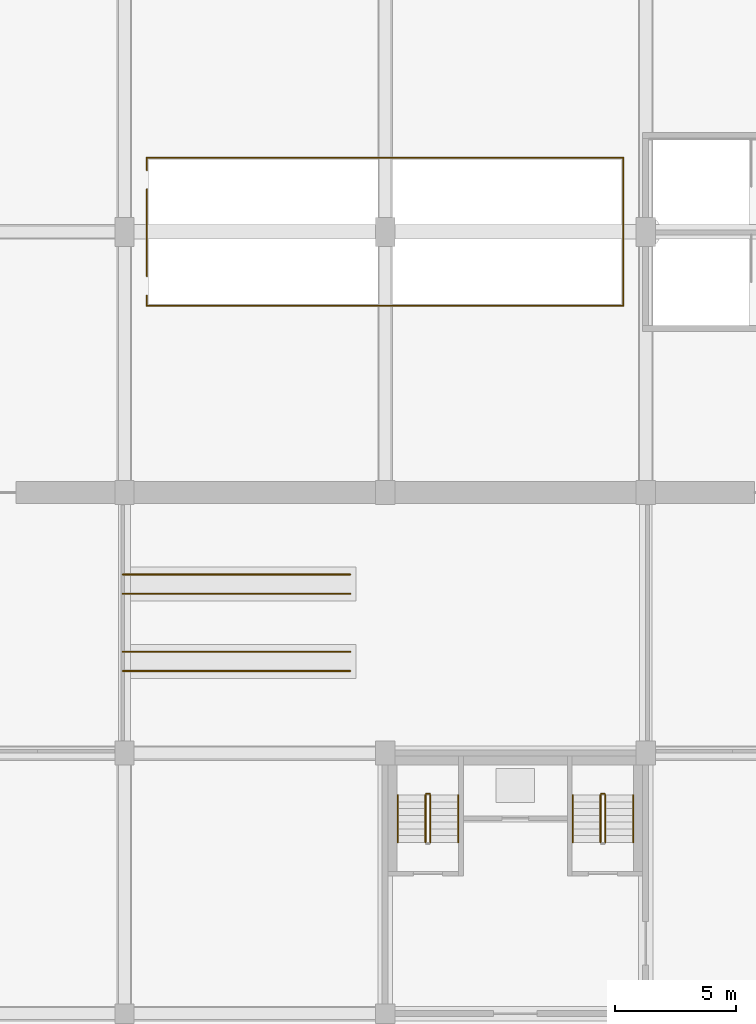
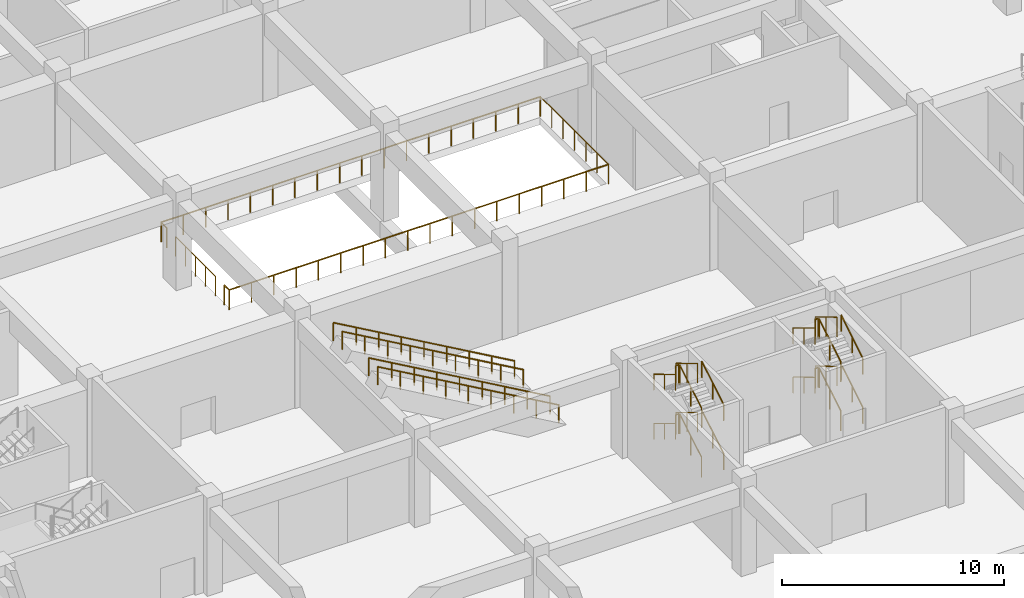
# One storey, part 85 of 101: 30 railings.
"""IFC4 building model written with IfcOpenShell, lengths in metres."""

from ifc_helpers import new_model, si_unit, direction, frame, origin, origin_2d, place, context, subcontext, project, spatial, circle, extrude, material, type_object, element, save


model = new_model("IFC4")

# Units and contexts
model_context = context("Model", 3, precision=1e-05, world=origin(), true_north=direction((0.0, 1.0)))
body_context = subcontext(model_context, "Body", "Model", "MODEL_VIEW")
ifc_project = project(units=[si_unit("LENGTHUNIT", "METRE"), si_unit("AREAUNIT", "SQUARE_METRE"), si_unit("VOLUMEUNIT", "CUBIC_METRE"), si_unit("PLANEANGLEUNIT", "RADIAN"), si_unit("MASSUNIT", "GRAM", prefix="KILO")], contexts=[model_context])

# Site, building, storey
site_placement = place(None, origin())
site = spatial("IfcSite", under=ifc_project, at=site_placement, CompositionType="ELEMENT")
building_placement = place(site_placement, origin())
building = spatial("IfcBuilding", under=site, at=building_placement, Name="Magnolia Steps Interchange", CompositionType="ELEMENT")
storey_placement = place(building_placement, frame((0.0, 0.0, -5.39990234375)))
storey = spatial("IfcBuildingStorey", under=building, at=storey_placement, Name="B1", CompositionType="ELEMENT", Elevation=-5.39990234375)

# Railings
ifc_material_1 = material(Name="Toughened glass", Category="glass")
railing_type_1 = type_object("IfcRailingType", Name="Escalator balustrade", PredefinedType="BALUSTRADE", material=ifc_material_1)
for number, where, name in (
    (1, (74.72998046875, 45.800048828125, 5.39990234375), "Escalator balustrade EV1 1L"),
    (2, (74.72998046875, 46.60009765625, 5.39990234375), "Escalator balustrade EV1 1R"),
    (3, (74.72998046875, 49.0, 5.39990234375), "Escalator balustrade EV1 2L"),
    (4, (74.72998046875, 49.800048828125, 5.39990234375), "Escalator balustrade EV1 2R"),
):
    element("IfcRailing", number, at=place(storey_placement, frame(where)), inside=storey, type_object=railing_type_1, Name=name, PredefinedType="BALUSTRADE", context=body_context, shape_type="SweptSolid", body=[
        extrude(circle(Radius=0.02392578125, at=origin_2d()), frame((0.0, 0.0, 0.97607421875), z_axis=(0.86763658894, 0.0, -0.497198903391), x_axis=(0.0, 1.0, 0.0)), (0.0, 0.0, 1.0), 10.860595703125),
        extrude(circle(Radius=0.02099609375, at=origin_2d()), origin(), (0.0, 0.0, 1.0), 0.951904296875),
        extrude(circle(Radius=0.02099609375, at=origin_2d()), frame((1.177978515625, 0.0, -0.675048828125)), (0.0, 0.0, 1.0), 0.951904296875),
        extrude(circle(Radius=0.02099609375, at=origin_2d()), frame((2.355712890625, 0.0, -1.35009765625)), (0.0, 0.0, 1.0), 0.951904296875),
        extrude(circle(Radius=0.02099609375, at=origin_2d()), frame((3.53369140625, 0.0, -2.02490234375)), (0.0, 0.0, 1.0), 0.951904296875),
        extrude(circle(Radius=0.02099609375, at=origin_2d()), frame((4.71142578125, 0.0, -2.699951171875)), (0.0, 0.0, 1.0), 0.951904296875),
        extrude(circle(Radius=0.02099609375, at=origin_2d()), frame((5.889404296875, 0.0, -3.375)), (0.0, 0.0, 1.0), 0.951904296875),
        extrude(circle(Radius=0.02099609375, at=origin_2d()), frame((7.0673828125, 0.0, -4.0498046875)), (0.0, 0.0, 1.0), 0.951904296875),
        extrude(circle(Radius=0.02099609375, at=origin_2d()), frame((8.2451171875, 0.0, -4.724853515625)), (0.0, 0.0, 1.0), 0.951904296875),
        extrude(circle(Radius=0.02099609375, at=origin_2d()), frame((9.423095703125, 0.0, -5.39990234375)), (0.0, 0.0, 1.0), 0.951904296875),
    ])
ifc_material_2 = material(Name="Stainless steel grade 304", Category="steel")
railing_type_2 = type_object("IfcRailingType", Name="Stair guard 1100", PredefinedType="GUARDRAIL", material=ifc_material_2)
railing_1_placement = place(storey_placement, frame((87.47412109375, 38.699951171875, 0.168701171875)))
element("IfcRailing", 5, at=railing_1_placement, inside=storey, type_object=railing_type_2, Name="B1 ST19 stair guard 1", PredefinedType="GUARDRAIL", context=body_context, shape_type="SweptSolid", body=[
    extrude(circle(Radius=0.02392578125, at=origin_2d()), frame((0.0, 0.0, 1.076171875), z_axis=(0.0, 0.856493463811, 0.516157869696), x_axis=(-1.0, 0.0, 0.0)), (0.0, 0.0, 1.0), 2.288330078125),
    extrude(circle(Radius=0.02099609375, at=origin_2d()), origin(), (0.0, 0.0, 1.0), 1.052001953125),
    extrude(circle(Radius=0.02099609375, at=origin_2d()), frame((0.0, 0.97998046875, 0.590576171875)), (0.0, 0.0, 1.0), 1.052001953125),
    extrude(circle(Radius=0.02099609375, at=origin_2d()), frame((0.0, 1.9599609375, 1.18115234375)), (0.0, 0.0, 1.0), 1.052001953125),
])
railing_2_placement = place(storey_placement, frame((87.449951171875, 40.7099609375, 1.349853515625)))
element("IfcRailing", 6, at=railing_2_placement, inside=storey, type_object=railing_type_2, Name="B1 ST19 stair guard 2", PredefinedType="GUARDRAIL", context=body_context, shape_type="SweptSolid", body=[
    extrude(circle(Radius=0.02392578125, at=origin_2d()), frame((0.0, 0.0, 1.076171875), z_axis=(-1.0, 0.0, 0.0), x_axis=(0.0, -1.0, 0.0)), (0.0, 0.0, 1.0), 0.14990234375),
    extrude(circle(Radius=0.02099609375, at=origin_2d()), origin(), (0.0, 0.0, 1.0), 1.052001953125),
    extrude(circle(Radius=0.02099609375, at=origin_2d()), frame((-0.14990234375, 0.0, 0.0)), (0.0, 0.0, 1.0), 1.052001953125),
])
railing_3_placement = place(storey_placement, frame((87.27587890625, 40.659912109375, 1.5185546875)))
element("IfcRailing", 7, at=railing_3_placement, inside=storey, type_object=railing_type_2, Name="B1 ST19 stair guard 3", PredefinedType="GUARDRAIL", context=body_context, shape_type="SweptSolid", body=[
    extrude(circle(Radius=0.02392578125, at=origin_2d()), frame((0.0, 0.0, 1.076171875), z_axis=(0.0, -0.856446297458, 0.516236127728), x_axis=(1.0, 0.0, 0.0)), (0.0, 0.0, 1.0), 2.28857421875),
    extrude(circle(Radius=0.02099609375, at=origin_2d()), origin(), (0.0, 0.0, 1.0), 1.052001953125),
    extrude(circle(Radius=0.02099609375, at=origin_2d()), frame((0.0, -0.97998046875, 0.5908203125)), (0.0, 0.0, 1.0), 1.052001953125),
    extrude(circle(Radius=0.02099609375, at=origin_2d()), frame((0.0, -1.9599609375, 1.181396484375)), (0.0, 0.0, 1.0), 1.052001953125),
])
railing_4_placement = place(storey_placement, frame((87.47412109375, 38.699951171875, 2.86865234375)))
element("IfcRailing", 8, at=railing_4_placement, inside=storey, type_object=railing_type_2, Name="B1 ST19 stair guard 5", PredefinedType="GUARDRAIL", context=body_context, shape_type="SweptSolid", body=[
    extrude(circle(Radius=0.02392578125, at=origin_2d()), frame((0.0, 0.0, 1.076171875), z_axis=(0.0, 0.856493463811, 0.516157869696), x_axis=(-1.0, 0.0, 0.0)), (0.0, 0.0, 1.0), 2.288330078125),
    extrude(circle(Radius=0.02099609375, at=origin_2d()), origin(), (0.0, 0.0, 1.0), 1.052001953125),
    extrude(circle(Radius=0.02099609375, at=origin_2d()), frame((0.0, 0.97998046875, 0.590576171875)), (0.0, 0.0, 1.0), 1.052001953125),
    extrude(circle(Radius=0.02099609375, at=origin_2d()), frame((0.0, 1.9599609375, 1.18115234375)), (0.0, 0.0, 1.0), 1.052001953125),
])
railing_5_placement = place(storey_placement, frame((87.449951171875, 40.7099609375, 4.0498046875)))
element("IfcRailing", 9, at=railing_5_placement, inside=storey, type_object=railing_type_2, Name="B1 ST19 stair guard 6", PredefinedType="GUARDRAIL", context=body_context, shape_type="SweptSolid", body=[
    extrude(circle(Radius=0.02392578125, at=origin_2d()), frame((0.0, 0.0, 1.076171875), z_axis=(-1.0, 0.0, 0.0), x_axis=(0.0, -1.0, 0.0)), (0.0, 0.0, 1.0), 0.14990234375),
    extrude(circle(Radius=0.02099609375, at=origin_2d()), origin(), (0.0, 0.0, 1.0), 1.052001953125),
    extrude(circle(Radius=0.02099609375, at=origin_2d()), frame((-0.14990234375, 0.0, 0.0)), (0.0, 0.0, 1.0), 1.052001953125),
])
railing_6_placement = place(storey_placement, frame((87.27587890625, 40.659912109375, 4.21875)))
element("IfcRailing", 10, at=railing_6_placement, inside=storey, type_object=railing_type_2, Name="B1 ST19 stair guard 7", PredefinedType="GUARDRAIL", context=body_context, shape_type="SweptSolid", body=[
    extrude(circle(Radius=0.02392578125, at=origin_2d()), frame((0.0, 0.0, 1.076171875), z_axis=(0.0, -0.856493463811, 0.516157869696), x_axis=(1.0, 0.0, 0.0)), (0.0, 0.0, 1.0), 2.288330078125),
    extrude(circle(Radius=0.02099609375, at=origin_2d()), origin(), (0.0, 0.0, 1.0), 1.052001953125),
    extrude(circle(Radius=0.02099609375, at=origin_2d()), frame((0.0, -0.97998046875, 0.590576171875)), (0.0, 0.0, 1.0), 1.052001953125),
    extrude(circle(Radius=0.02099609375, at=origin_2d()), frame((0.0, -1.9599609375, 1.18115234375)), (0.0, 0.0, 1.0), 1.052001953125),
])
railing_7_placement = place(storey_placement, frame((94.72412109375, 38.699951171875, 0.168701171875)))
element("IfcRailing", 11, at=railing_7_placement, inside=storey, type_object=railing_type_2, Name="B1 ST20 stair guard 1", PredefinedType="GUARDRAIL", context=body_context, shape_type="SweptSolid", body=[
    extrude(circle(Radius=0.02392578125, at=origin_2d()), frame((0.0, 0.0, 1.076171875), z_axis=(0.0, 0.856493463811, 0.516157869696), x_axis=(-1.0, 0.0, 0.0)), (0.0, 0.0, 1.0), 2.288330078125),
    extrude(circle(Radius=0.02099609375, at=origin_2d()), origin(), (0.0, 0.0, 1.0), 1.052001953125),
    extrude(circle(Radius=0.02099609375, at=origin_2d()), frame((0.0, 0.97998046875, 0.590576171875)), (0.0, 0.0, 1.0), 1.052001953125),
    extrude(circle(Radius=0.02099609375, at=origin_2d()), frame((0.0, 1.9599609375, 1.18115234375)), (0.0, 0.0, 1.0), 1.052001953125),
])
railing_8_placement = place(storey_placement, frame((94.699951171875, 40.7099609375, 1.349853515625)))
element("IfcRailing", 12, at=railing_8_placement, inside=storey, type_object=railing_type_2, Name="B1 ST20 stair guard 2", PredefinedType="GUARDRAIL", context=body_context, shape_type="SweptSolid", body=[
    extrude(circle(Radius=0.02392578125, at=origin_2d()), frame((0.0, 0.0, 1.076171875), z_axis=(-1.0, 0.0, 0.0), x_axis=(0.0, -1.0, 0.0)), (0.0, 0.0, 1.0), 0.14990234375),
    extrude(circle(Radius=0.02099609375, at=origin_2d()), origin(), (0.0, 0.0, 1.0), 1.052001953125),
    extrude(circle(Radius=0.02099609375, at=origin_2d()), frame((-0.14990234375, 0.0, 0.0)), (0.0, 0.0, 1.0), 1.052001953125),
])
railing_9_placement = place(storey_placement, frame((94.52587890625, 40.659912109375, 1.5185546875)))
element("IfcRailing", 13, at=railing_9_placement, inside=storey, type_object=railing_type_2, Name="B1 ST20 stair guard 3", PredefinedType="GUARDRAIL", context=body_context, shape_type="SweptSolid", body=[
    extrude(circle(Radius=0.02392578125, at=origin_2d()), frame((0.0, 0.0, 1.076171875), z_axis=(0.0, -0.856446297458, 0.516236127728), x_axis=(1.0, 0.0, 0.0)), (0.0, 0.0, 1.0), 2.28857421875),
    extrude(circle(Radius=0.02099609375, at=origin_2d()), origin(), (0.0, 0.0, 1.0), 1.052001953125),
    extrude(circle(Radius=0.02099609375, at=origin_2d()), frame((0.0, -0.97998046875, 0.5908203125)), (0.0, 0.0, 1.0), 1.052001953125),
    extrude(circle(Radius=0.02099609375, at=origin_2d()), frame((0.0, -1.9599609375, 1.181396484375)), (0.0, 0.0, 1.0), 1.052001953125),
])
railing_10_placement = place(storey_placement, frame((94.72412109375, 38.699951171875, 2.86865234375)))
element("IfcRailing", 14, at=railing_10_placement, inside=storey, type_object=railing_type_2, Name="B1 ST20 stair guard 5", PredefinedType="GUARDRAIL", context=body_context, shape_type="SweptSolid", body=[
    extrude(circle(Radius=0.02392578125, at=origin_2d()), frame((0.0, 0.0, 1.076171875), z_axis=(0.0, 0.856493463811, 0.516157869696), x_axis=(-1.0, 0.0, 0.0)), (0.0, 0.0, 1.0), 2.288330078125),
    extrude(circle(Radius=0.02099609375, at=origin_2d()), origin(), (0.0, 0.0, 1.0), 1.052001953125),
    extrude(circle(Radius=0.02099609375, at=origin_2d()), frame((0.0, 0.97998046875, 0.590576171875)), (0.0, 0.0, 1.0), 1.052001953125),
    extrude(circle(Radius=0.02099609375, at=origin_2d()), frame((0.0, 1.9599609375, 1.18115234375)), (0.0, 0.0, 1.0), 1.052001953125),
])
railing_11_placement = place(storey_placement, frame((94.699951171875, 40.7099609375, 4.0498046875)))
element("IfcRailing", 15, at=railing_11_placement, inside=storey, type_object=railing_type_2, Name="B1 ST20 stair guard 6", PredefinedType="GUARDRAIL", context=body_context, shape_type="SweptSolid", body=[
    extrude(circle(Radius=0.02392578125, at=origin_2d()), frame((0.0, 0.0, 1.076171875), z_axis=(-1.0, 0.0, 0.0), x_axis=(0.0, -1.0, 0.0)), (0.0, 0.0, 1.0), 0.14990234375),
    extrude(circle(Radius=0.02099609375, at=origin_2d()), origin(), (0.0, 0.0, 1.0), 1.052001953125),
    extrude(circle(Radius=0.02099609375, at=origin_2d()), frame((-0.14990234375, 0.0, 0.0)), (0.0, 0.0, 1.0), 1.052001953125),
])
railing_12_placement = place(storey_placement, frame((94.52587890625, 40.659912109375, 4.21875)))
element("IfcRailing", 16, at=railing_12_placement, inside=storey, type_object=railing_type_2, Name="B1 ST20 stair guard 7", PredefinedType="GUARDRAIL", context=body_context, shape_type="SweptSolid", body=[
    extrude(circle(Radius=0.02392578125, at=origin_2d()), frame((0.0, 0.0, 1.076171875), z_axis=(0.0, -0.856493463811, 0.516157869696), x_axis=(1.0, 0.0, 0.0)), (0.0, 0.0, 1.0), 2.288330078125),
    extrude(circle(Radius=0.02099609375, at=origin_2d()), origin(), (0.0, 0.0, 1.0), 1.052001953125),
    extrude(circle(Radius=0.02099609375, at=origin_2d()), frame((0.0, -0.97998046875, 0.590576171875)), (0.0, 0.0, 1.0), 1.052001953125),
    extrude(circle(Radius=0.02099609375, at=origin_2d()), frame((0.0, -1.9599609375, 1.18115234375)), (0.0, 0.0, 1.0), 1.052001953125),
])
ifc_material_3 = material(Name="Stainless steel grade 304", Category="steel")
railing_type_3 = type_object("IfcRailingType", Name="Stair handrail 900", PredefinedType="HANDRAIL", material=ifc_material_3)
railing_13_placement = place(storey_placement, frame((88.6259765625, 38.699951171875, 0.168701171875)))
element("IfcRailing", 17, at=railing_13_placement, inside=storey, type_object=railing_type_3, Name="B1 ST19 stair handrail 1", PredefinedType="HANDRAIL", context=body_context, shape_type="SweptSolid", body=[
    extrude(circle(Radius=0.02392578125, at=origin_2d()), frame((0.0, 0.0, 0.8759765625), z_axis=(0.0, 0.856493463811, 0.516157869696), x_axis=(-1.0, 0.0, 0.0)), (0.0, 0.0, 1.0), 2.288330078125),
    extrude(circle(Radius=0.02099609375, at=origin_2d()), origin(), (0.0, 0.0, 1.0), 0.851806640625),
    extrude(circle(Radius=0.02099609375, at=origin_2d()), frame((0.0, 0.97998046875, 0.590576171875)), (0.0, 0.0, 1.0), 0.851806640625),
    extrude(circle(Radius=0.02099609375, at=origin_2d()), frame((0.0, 1.9599609375, 1.18115234375)), (0.0, 0.0, 1.0), 0.851806640625),
])
railing_14_placement = place(storey_placement, frame((86.1240234375, 40.659912109375, 1.5185546875)))
element("IfcRailing", 18, at=railing_14_placement, inside=storey, type_object=railing_type_3, Name="B1 ST19 stair handrail 2", PredefinedType="HANDRAIL", context=body_context, shape_type="SweptSolid", body=[
    extrude(circle(Radius=0.02392578125, at=origin_2d()), frame((0.0, 0.0, 0.8759765625), z_axis=(0.0, -0.856446297458, 0.516236127728), x_axis=(1.0, 0.0, 0.0)), (0.0, 0.0, 1.0), 2.28857421875),
    extrude(circle(Radius=0.02099609375, at=origin_2d()), origin(), (0.0, 0.0, 1.0), 0.851806640625),
    extrude(circle(Radius=0.02099609375, at=origin_2d()), frame((0.0, -0.97998046875, 0.5908203125)), (0.0, 0.0, 1.0), 0.851806640625),
    extrude(circle(Radius=0.02099609375, at=origin_2d()), frame((0.0, -1.9599609375, 1.181396484375)), (0.0, 0.0, 1.0), 0.851806640625),
])
railing_15_placement = place(storey_placement, frame((88.6259765625, 38.699951171875, 2.86865234375)))
element("IfcRailing", 19, at=railing_15_placement, inside=storey, type_object=railing_type_3, Name="B1 ST19 stair handrail 3", PredefinedType="HANDRAIL", context=body_context, shape_type="SweptSolid", body=[
    extrude(circle(Radius=0.02392578125, at=origin_2d()), frame((0.0, 0.0, 0.8759765625), z_axis=(0.0, 0.856493463811, 0.516157869696), x_axis=(-1.0, 0.0, 0.0)), (0.0, 0.0, 1.0), 2.288330078125),
    extrude(circle(Radius=0.02099609375, at=origin_2d()), origin(), (0.0, 0.0, 1.0), 0.851806640625),
    extrude(circle(Radius=0.02099609375, at=origin_2d()), frame((0.0, 0.97998046875, 0.590576171875)), (0.0, 0.0, 1.0), 0.851806640625),
    extrude(circle(Radius=0.02099609375, at=origin_2d()), frame((0.0, 1.9599609375, 1.18115234375)), (0.0, 0.0, 1.0), 0.851806640625),
])
railing_16_placement = place(storey_placement, frame((86.1240234375, 40.659912109375, 4.21875)))
element("IfcRailing", 20, at=railing_16_placement, inside=storey, type_object=railing_type_3, Name="B1 ST19 stair handrail 4", PredefinedType="HANDRAIL", context=body_context, shape_type="SweptSolid", body=[
    extrude(circle(Radius=0.02392578125, at=origin_2d()), frame((0.0, 0.0, 0.8759765625), z_axis=(0.0, -0.856493463811, 0.516157869696), x_axis=(1.0, 0.0, 0.0)), (0.0, 0.0, 1.0), 2.288330078125),
    extrude(circle(Radius=0.02099609375, at=origin_2d()), origin(), (0.0, 0.0, 1.0), 0.851806640625),
    extrude(circle(Radius=0.02099609375, at=origin_2d()), frame((0.0, -0.97998046875, 0.590576171875)), (0.0, 0.0, 1.0), 0.851806640625),
    extrude(circle(Radius=0.02099609375, at=origin_2d()), frame((0.0, -1.9599609375, 1.18115234375)), (0.0, 0.0, 1.0), 0.851806640625),
])
railing_17_placement = place(storey_placement, frame((95.8759765625, 38.699951171875, 0.168701171875)))
element("IfcRailing", 21, at=railing_17_placement, inside=storey, type_object=railing_type_3, Name="B1 ST20 stair handrail 1", PredefinedType="HANDRAIL", context=body_context, shape_type="SweptSolid", body=[
    extrude(circle(Radius=0.02392578125, at=origin_2d()), frame((0.0, 0.0, 0.8759765625), z_axis=(0.0, 0.856493463811, 0.516157869696), x_axis=(-1.0, 0.0, 0.0)), (0.0, 0.0, 1.0), 2.288330078125),
    extrude(circle(Radius=0.02099609375, at=origin_2d()), origin(), (0.0, 0.0, 1.0), 0.851806640625),
    extrude(circle(Radius=0.02099609375, at=origin_2d()), frame((0.0, 0.97998046875, 0.590576171875)), (0.0, 0.0, 1.0), 0.851806640625),
    extrude(circle(Radius=0.02099609375, at=origin_2d()), frame((0.0, 1.9599609375, 1.18115234375)), (0.0, 0.0, 1.0), 0.851806640625),
])
railing_18_placement = place(storey_placement, frame((93.3740234375, 40.659912109375, 1.5185546875)))
element("IfcRailing", 22, at=railing_18_placement, inside=storey, type_object=railing_type_3, Name="B1 ST20 stair handrail 2", PredefinedType="HANDRAIL", context=body_context, shape_type="SweptSolid", body=[
    extrude(circle(Radius=0.02392578125, at=origin_2d()), frame((0.0, 0.0, 0.8759765625), z_axis=(0.0, -0.856446297458, 0.516236127728), x_axis=(1.0, 0.0, 0.0)), (0.0, 0.0, 1.0), 2.28857421875),
    extrude(circle(Radius=0.02099609375, at=origin_2d()), origin(), (0.0, 0.0, 1.0), 0.851806640625),
    extrude(circle(Radius=0.02099609375, at=origin_2d()), frame((0.0, -0.97998046875, 0.5908203125)), (0.0, 0.0, 1.0), 0.851806640625),
    extrude(circle(Radius=0.02099609375, at=origin_2d()), frame((0.0, -1.9599609375, 1.181396484375)), (0.0, 0.0, 1.0), 0.851806640625),
])
railing_19_placement = place(storey_placement, frame((95.8759765625, 38.699951171875, 2.86865234375)))
element("IfcRailing", 23, at=railing_19_placement, inside=storey, type_object=railing_type_3, Name="B1 ST20 stair handrail 3", PredefinedType="HANDRAIL", context=body_context, shape_type="SweptSolid", body=[
    extrude(circle(Radius=0.02392578125, at=origin_2d()), frame((0.0, 0.0, 0.8759765625), z_axis=(0.0, 0.856493463811, 0.516157869696), x_axis=(-1.0, 0.0, 0.0)), (0.0, 0.0, 1.0), 2.288330078125),
    extrude(circle(Radius=0.02099609375, at=origin_2d()), origin(), (0.0, 0.0, 1.0), 0.851806640625),
    extrude(circle(Radius=0.02099609375, at=origin_2d()), frame((0.0, 0.97998046875, 0.590576171875)), (0.0, 0.0, 1.0), 0.851806640625),
    extrude(circle(Radius=0.02099609375, at=origin_2d()), frame((0.0, 1.9599609375, 1.18115234375)), (0.0, 0.0, 1.0), 0.851806640625),
])
railing_20_placement = place(storey_placement, frame((93.3740234375, 40.659912109375, 4.21875)))
element("IfcRailing", 24, at=railing_20_placement, inside=storey, type_object=railing_type_3, Name="B1 ST20 stair handrail 4", PredefinedType="HANDRAIL", context=body_context, shape_type="SweptSolid", body=[
    extrude(circle(Radius=0.02392578125, at=origin_2d()), frame((0.0, 0.0, 0.8759765625), z_axis=(0.0, -0.856493463811, 0.516157869696), x_axis=(1.0, 0.0, 0.0)), (0.0, 0.0, 1.0), 2.288330078125),
    extrude(circle(Radius=0.02099609375, at=origin_2d()), origin(), (0.0, 0.0, 1.0), 0.851806640625),
    extrude(circle(Radius=0.02099609375, at=origin_2d()), frame((0.0, -0.97998046875, 0.590576171875)), (0.0, 0.0, 1.0), 0.851806640625),
    extrude(circle(Radius=0.02099609375, at=origin_2d()), frame((0.0, -1.9599609375, 1.18115234375)), (0.0, 0.0, 1.0), 0.851806640625),
])
ifc_material_4 = material(Name="Stainless steel grade 304", Category="steel")
railing_type_4 = type_object("IfcRailingType", Name="Void edge guard 1100", PredefinedType="GUARDRAIL", material=ifc_material_4)
railing_21_placement = place(storey_placement, frame((95.469970703125, 60.929931640625, 0.0)))
element("IfcRailing", 25, at=railing_21_placement, inside=storey, type_object=railing_type_4, Name="B1 void edge guard EV2 1", PredefinedType="GUARDRAIL", context=body_context, shape_type="SweptSolid", body=[
    extrude(circle(Radius=0.02392578125, at=origin_2d()), frame((0.0, 0.0, 1.076171875), z_axis=(-1.0, 0.0, 0.0), x_axis=(0.0, -1.0, 0.0)), (0.0, 0.0, 1.0), 19.739990234375),
    extrude(circle(Radius=0.02099609375, at=origin_2d()), origin(), (0.0, 0.0, 1.0), 1.052001953125),
    extrude(circle(Radius=0.02099609375, at=origin_2d()), frame((-1.1611328125, 0.0, 0.0)), (0.0, 0.0, 1.0), 1.052001953125),
    extrude(circle(Radius=0.02099609375, at=origin_2d()), frame((-2.322265625, 0.0, 0.0)), (0.0, 0.0, 1.0), 1.052001953125),
    extrude(circle(Radius=0.02099609375, at=origin_2d()), frame((-3.483642578125, 0.0, 0.0)), (0.0, 0.0, 1.0), 1.052001953125),
    extrude(circle(Radius=0.02099609375, at=origin_2d()), frame((-4.644775390625, 0.0, 0.0)), (0.0, 0.0, 1.0), 1.052001953125),
    extrude(circle(Radius=0.02099609375, at=origin_2d()), frame((-5.805908203125, 0.0, 0.0)), (0.0, 0.0, 1.0), 1.052001953125),
    extrude(circle(Radius=0.02099609375, at=origin_2d()), frame((-6.967041015625, 0.0, 0.0)), (0.0, 0.0, 1.0), 1.052001953125),
    extrude(circle(Radius=0.02099609375, at=origin_2d()), frame((-8.128173828125, 0.0, 0.0)), (0.0, 0.0, 1.0), 1.052001953125),
    extrude(circle(Radius=0.02099609375, at=origin_2d()), frame((-9.289306640625, 0.0, 0.0)), (0.0, 0.0, 1.0), 1.052001953125),
    extrude(circle(Radius=0.02099609375, at=origin_2d()), frame((-10.45068359375, 0.0, 0.0)), (0.0, 0.0, 1.0), 1.052001953125),
    extrude(circle(Radius=0.02099609375, at=origin_2d()), frame((-11.61181640625, 0.0, 0.0)), (0.0, 0.0, 1.0), 1.052001953125),
    extrude(circle(Radius=0.02099609375, at=origin_2d()), frame((-12.77294921875, 0.0, 0.0)), (0.0, 0.0, 1.0), 1.052001953125),
    extrude(circle(Radius=0.02099609375, at=origin_2d()), frame((-13.93408203125, 0.0, 0.0)), (0.0, 0.0, 1.0), 1.052001953125),
    extrude(circle(Radius=0.02099609375, at=origin_2d()), frame((-15.09521484375, 0.0, 0.0)), (0.0, 0.0, 1.0), 1.052001953125),
    extrude(circle(Radius=0.02099609375, at=origin_2d()), frame((-16.25634765625, 0.0, 0.0)), (0.0, 0.0, 1.0), 1.052001953125),
    extrude(circle(Radius=0.02099609375, at=origin_2d()), frame((-17.417724609375, 0.0, 0.0)), (0.0, 0.0, 1.0), 1.052001953125),
    extrude(circle(Radius=0.02099609375, at=origin_2d()), frame((-18.578857421875, 0.0, 0.0)), (0.0, 0.0, 1.0), 1.052001953125),
    extrude(circle(Radius=0.02099609375, at=origin_2d()), frame((-19.739990234375, 0.0, 0.0)), (0.0, 0.0, 1.0), 1.052001953125),
])
railing_22_placement = place(storey_placement, frame((75.72998046875, 60.929931640625, 0.0)))
element("IfcRailing", 26, at=railing_22_placement, inside=storey, type_object=railing_type_4, Name="B1 void edge guard EV2 2", PredefinedType="GUARDRAIL", context=body_context, shape_type="SweptSolid", body=[
    extrude(circle(Radius=0.02392578125, at=origin_2d()), frame((0.0, 0.0, 1.076171875), z_axis=(0.0, 1.0, 0.0), x_axis=(-1.0, 0.0, 0.0)), (0.0, 0.0, 1.0), 0.43017578125),
    extrude(circle(Radius=0.02099609375, at=origin_2d()), origin(), (0.0, 0.0, 1.0), 1.052001953125),
    extrude(circle(Radius=0.02099609375, at=origin_2d()), frame((0.0, 0.43017578125, 0.0)), (0.0, 0.0, 1.0), 1.052001953125),
])
railing_23_placement = place(storey_placement, frame((75.72998046875, 62.159912109375, 0.0)))
element("IfcRailing", 27, at=railing_23_placement, inside=storey, type_object=railing_type_4, Name="B1 void edge guard EV2 3", PredefinedType="GUARDRAIL", context=body_context, shape_type="SweptSolid", body=[
    extrude(circle(Radius=0.02392578125, at=origin_2d()), frame((0.0, 0.0, 1.076171875), z_axis=(0.0, 1.0, 0.0), x_axis=(-1.0, 0.0, 0.0)), (0.0, 0.0, 1.0), 3.60009765625),
    extrude(circle(Radius=0.02099609375, at=origin_2d()), origin(), (0.0, 0.0, 1.0), 1.052001953125),
    extrude(circle(Radius=0.02099609375, at=origin_2d()), frame((0.0, 0.89990234375, 0.0)), (0.0, 0.0, 1.0), 1.052001953125),
    extrude(circle(Radius=0.02099609375, at=origin_2d()), frame((0.0, 1.800048828125, 0.0)), (0.0, 0.0, 1.0), 1.052001953125),
    extrude(circle(Radius=0.02099609375, at=origin_2d()), frame((0.0, 2.7001953125, 0.0)), (0.0, 0.0, 1.0), 1.052001953125),
    extrude(circle(Radius=0.02099609375, at=origin_2d()), frame((0.0, 3.60009765625, 0.0)), (0.0, 0.0, 1.0), 1.052001953125),
])
railing_24_placement = place(storey_placement, frame((75.72998046875, 66.56005859375, 0.0)))
element("IfcRailing", 28, at=railing_24_placement, inside=storey, type_object=railing_type_4, Name="B1 void edge guard EV2 4", PredefinedType="GUARDRAIL", context=body_context, shape_type="SweptSolid", body=[
    extrude(circle(Radius=0.02392578125, at=origin_2d()), frame((0.0, 0.0, 1.076171875), z_axis=(0.0, 1.0, 0.0), x_axis=(-1.0, 0.0, 0.0)), (0.0, 0.0, 1.0), 0.510009765625),
    extrude(circle(Radius=0.02099609375, at=origin_2d()), origin(), (0.0, 0.0, 1.0), 1.052001953125),
    extrude(circle(Radius=0.02099609375, at=origin_2d()), frame((0.0, 0.510009765625, 0.0)), (0.0, 0.0, 1.0), 1.052001953125),
])
railing_25_placement = place(storey_placement, frame((75.72998046875, 67.070068359375, 0.0)))
element("IfcRailing", 29, at=railing_25_placement, inside=storey, type_object=railing_type_4, Name="B1 void edge guard EV2 5", PredefinedType="GUARDRAIL", context=body_context, shape_type="SweptSolid", body=[
    extrude(circle(Radius=0.02392578125, at=origin_2d()), frame((0.0, 0.0, 1.076171875), z_axis=(1.0, 0.0, 0.0), x_axis=(0.0, 1.0, 0.0)), (0.0, 0.0, 1.0), 19.739990234375),
    extrude(circle(Radius=0.02099609375, at=origin_2d()), origin(), (0.0, 0.0, 1.0), 1.052001953125),
    extrude(circle(Radius=0.02099609375, at=origin_2d()), frame((1.1611328125, 0.0, 0.0)), (0.0, 0.0, 1.0), 1.052001953125),
    extrude(circle(Radius=0.02099609375, at=origin_2d()), frame((2.322265625, 0.0, 0.0)), (0.0, 0.0, 1.0), 1.052001953125),
    extrude(circle(Radius=0.02099609375, at=origin_2d()), frame((3.483642578125, 0.0, 0.0)), (0.0, 0.0, 1.0), 1.052001953125),
    extrude(circle(Radius=0.02099609375, at=origin_2d()), frame((4.644775390625, 0.0, 0.0)), (0.0, 0.0, 1.0), 1.052001953125),
    extrude(circle(Radius=0.02099609375, at=origin_2d()), frame((5.805908203125, 0.0, 0.0)), (0.0, 0.0, 1.0), 1.052001953125),
    extrude(circle(Radius=0.02099609375, at=origin_2d()), frame((6.967041015625, 0.0, 0.0)), (0.0, 0.0, 1.0), 1.052001953125),
    extrude(circle(Radius=0.02099609375, at=origin_2d()), frame((8.128173828125, 0.0, 0.0)), (0.0, 0.0, 1.0), 1.052001953125),
    extrude(circle(Radius=0.02099609375, at=origin_2d()), frame((9.289306640625, 0.0, 0.0)), (0.0, 0.0, 1.0), 1.052001953125),
    extrude(circle(Radius=0.02099609375, at=origin_2d()), frame((10.45068359375, 0.0, 0.0)), (0.0, 0.0, 1.0), 1.052001953125),
    extrude(circle(Radius=0.02099609375, at=origin_2d()), frame((11.61181640625, 0.0, 0.0)), (0.0, 0.0, 1.0), 1.052001953125),
    extrude(circle(Radius=0.02099609375, at=origin_2d()), frame((12.77294921875, 0.0, 0.0)), (0.0, 0.0, 1.0), 1.052001953125),
    extrude(circle(Radius=0.02099609375, at=origin_2d()), frame((13.93408203125, 0.0, 0.0)), (0.0, 0.0, 1.0), 1.052001953125),
    extrude(circle(Radius=0.02099609375, at=origin_2d()), frame((15.09521484375, 0.0, 0.0)), (0.0, 0.0, 1.0), 1.052001953125),
    extrude(circle(Radius=0.02099609375, at=origin_2d()), frame((16.25634765625, 0.0, 0.0)), (0.0, 0.0, 1.0), 1.052001953125),
    extrude(circle(Radius=0.02099609375, at=origin_2d()), frame((17.417724609375, 0.0, 0.0)), (0.0, 0.0, 1.0), 1.052001953125),
    extrude(circle(Radius=0.02099609375, at=origin_2d()), frame((18.578857421875, 0.0, 0.0)), (0.0, 0.0, 1.0), 1.052001953125),
    extrude(circle(Radius=0.02099609375, at=origin_2d()), frame((19.739990234375, 0.0, 0.0)), (0.0, 0.0, 1.0), 1.052001953125),
])
railing_26_placement = place(storey_placement, frame((95.469970703125, 67.070068359375, 0.0)))
element("IfcRailing", 30, at=railing_26_placement, inside=storey, type_object=railing_type_4, Name="B1 void edge guard EV2 6", PredefinedType="GUARDRAIL", context=body_context, shape_type="SweptSolid", body=[
    extrude(circle(Radius=0.02392578125, at=origin_2d()), frame((0.0, 0.0, 1.076171875), z_axis=(0.0, -1.0, 0.0), x_axis=(1.0, 0.0, 0.0)), (0.0, 0.0, 1.0), 6.14013671875),
    extrude(circle(Radius=0.02099609375, at=origin_2d()), origin(), (0.0, 0.0, 1.0), 1.052001953125),
    extrude(circle(Radius=0.02099609375, at=origin_2d()), frame((0.0, -1.0234375, 0.0)), (0.0, 0.0, 1.0), 1.052001953125),
    extrude(circle(Radius=0.02099609375, at=origin_2d()), frame((0.0, -2.046630859375, 0.0)), (0.0, 0.0, 1.0), 1.052001953125),
    extrude(circle(Radius=0.02099609375, at=origin_2d()), frame((0.0, -3.070068359375, 0.0)), (0.0, 0.0, 1.0), 1.052001953125),
    extrude(circle(Radius=0.02099609375, at=origin_2d()), frame((0.0, -4.093505859375, 0.0)), (0.0, 0.0, 1.0), 1.052001953125),
    extrude(circle(Radius=0.02099609375, at=origin_2d()), frame((0.0, -5.11669921875, 0.0)), (0.0, 0.0, 1.0), 1.052001953125),
    extrude(circle(Radius=0.02099609375, at=origin_2d()), frame((0.0, -6.14013671875, 0.0)), (0.0, 0.0, 1.0), 1.052001953125),
])

save(model, "model.ifc")
